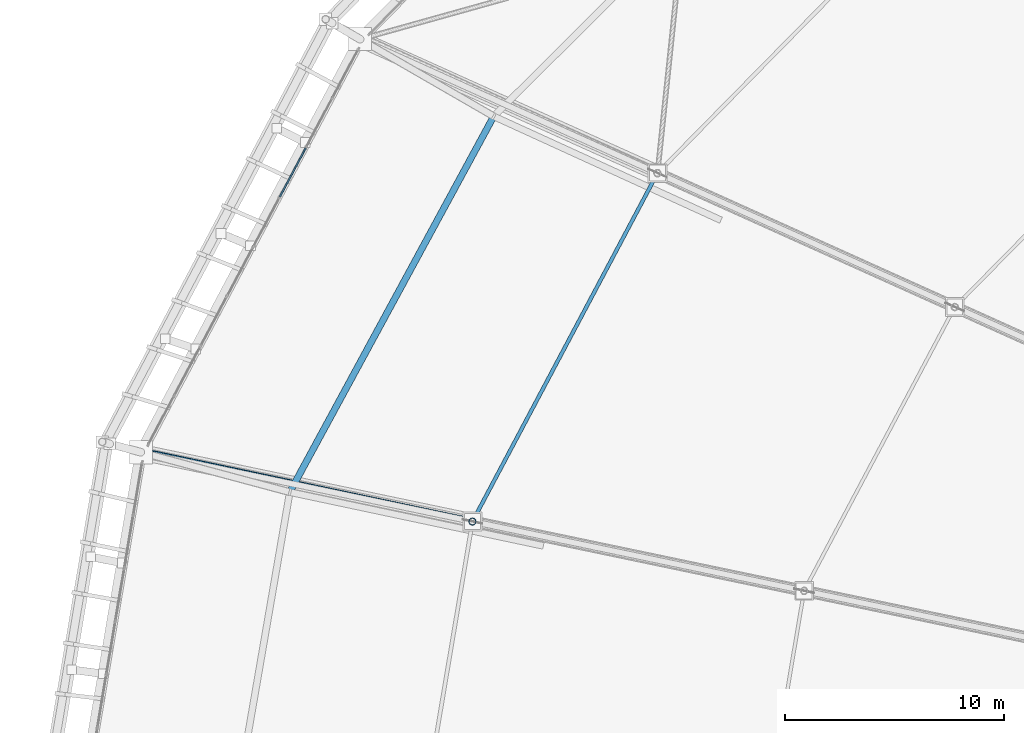
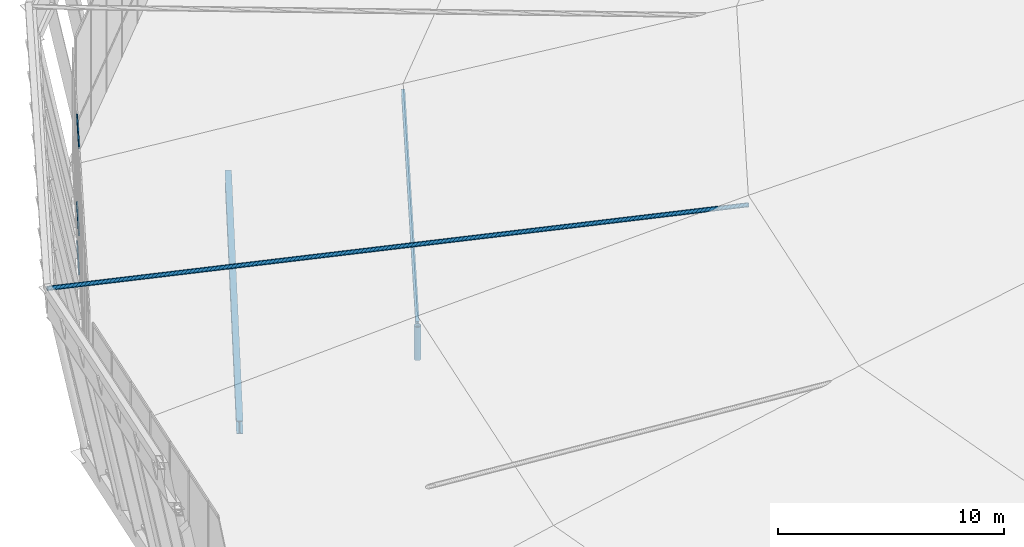
# One storey, part 27 of 115: 6 members, 1 beam, 1 element without a shape of its own.
"""IFC4 building model written with IfcOpenShell, lengths in metres."""

from ifc_helpers import new_model, si_unit, direction, frame, origin, origin_2d, place, context, subcontext, project, spatial, rectangle, hollow_circle, i_section, extrude, material, material_profile, profile_set, type_object, element, aggregate, save


model = new_model("IFC4")

# Units and contexts
model_context = context("Model", 3, precision=1e-05, world=origin(), true_north=direction((0.0, 1.0)))
body_context = subcontext(model_context, "Body", "Model", "MODEL_VIEW")
ifc_project = project(units=[si_unit("LENGTHUNIT", "METRE"), si_unit("AREAUNIT", "SQUARE_METRE"), si_unit("VOLUMEUNIT", "CUBIC_METRE"), si_unit("PLANEANGLEUNIT", "RADIAN"), si_unit("MASSUNIT", "GRAM", prefix="KILO")], contexts=[model_context])

# Site, building, storey
site_placement = place(None, origin())
site = spatial("IfcSite", under=ifc_project, at=site_placement, CompositionType="ELEMENT")
building_placement = place(site_placement, origin())
building = spatial("IfcBuilding", under=site, at=building_placement, Name="Zlatoyarsky Gate Stadium", CompositionType="ELEMENT")
storey_placement = place(building_placement, frame((0.0, 0.0, 31.800048828125)))
storey = spatial("IfcBuildingStorey", under=building, at=storey_placement, Name="RF", CompositionType="ELEMENT", Elevation=31.800048828125)

# Curtain wall, members
ifc_material_1 = material(Name="Thermally broken anodised aluminium curtain wall", Category="aluminium")
curtain_wall_type = type_object("IfcCurtainWallType", Name="UNITISED SKYBOX RING GLAZING L05", PredefinedType="USERDEFINED", material=ifc_material_1)
curtain_wall_placement = place(storey_placement, origin())
curtain_wall = element("IfcCurtainWall", 1, at=curtain_wall_placement, inside=storey, type_object=curtain_wall_type, Name="Curtain wall CW-RF-10", ObjectType="UNITISED GLAZING", PredefinedType="USERDEFINED")
ifc_material_2 = material(Name="Anodised aluminium 6063-T6", Category="aluminium")
ifc_material_profile_1 = material_profile(ifc_material_2, rectangle(XDim=0.06494140625, YDim=0.139892578125, at=origin_2d()), Name="ALU 65X140")
ifc_profile_set_1 = profile_set([ifc_material_profile_1], Name="Anodised aluminium 6063-T6")
member_type_1 = type_object("IfcMemberType", Name="ALUMINIUM TRANSOM 65X140", PredefinedType="USERDEFINED", material=ifc_profile_set_1)
member_1_placement = place(storey_placement, frame((21.89111328125, 114.042236328125, 0.032470703125), z_axis=(-0.469124208683, -0.883132196688, 0.0), x_axis=(0.883132196688, -0.469124208683, 0.0)))
member_1 = element("IfcMember", 2, at=member_1_placement, type_object=member_type_1, Name="CW-UG5 transom 3.1", ObjectType="TRANSOM", PredefinedType="USERDEFINED", context=body_context, shape_type="SweptSolid", body=[
    extrude(rectangle(XDim=0.06494140625, YDim=0.139892578125, at=origin_2d()), origin(), (0.0, 0.0, 1.0), 2.493896484375),
])
member_2_placement = place(storey_placement, frame((21.89111328125, 114.042236328125, 2.14990234375), z_axis=(-0.469124208683, -0.883132196688, 0.0), x_axis=(0.883132196688, -0.469124208683, 0.0)))
member_2 = element("IfcMember", 3, at=member_2_placement, type_object=member_type_1, Name="CW-UG5 transom 3.2", ObjectType="TRANSOM", PredefinedType="USERDEFINED", context=body_context, shape_type="SweptSolid", body=[
    extrude(rectangle(XDim=0.06494140625, YDim=0.139892578125, at=origin_2d()), origin(), (0.0, 0.0, 1.0), 2.493896484375),
])
member_3_placement = place(storey_placement, frame((21.89111328125, 114.042236328125, 6.867431640625), z_axis=(-0.469124208683, -0.883132196688, 0.0), x_axis=(0.883132196688, -0.469124208683, 0.0)))
member_3 = element("IfcMember", 4, at=member_3_placement, type_object=member_type_1, Name="CW-UG5 transom 3.3", ObjectType="TRANSOM", PredefinedType="USERDEFINED", context=body_context, shape_type="SweptSolid", body=[
    extrude(rectangle(XDim=0.06494140625, YDim=0.139892578125, at=origin_2d()), origin(), (0.0, 0.0, 1.0), 2.493896484375),
])
aggregate(curtain_wall, [member_1, member_2, member_3])

# Members
ifc_material_3 = material(Name="Steel S355", Category="steel")
ifc_material_profile_2 = material_profile(ifc_material_3, hollow_circle(Radius=0.109619140625, WallThickness=0.012451171875, at=origin_2d()), Name="CHS 219.1X12.5")
ifc_profile_set_2 = profile_set([ifc_material_profile_2], Name="Steel S355")
member_type_2 = type_object("IfcMemberType", Name="STEEL CANOPY WIND BRACE CHS 219.1X12.5", PredefinedType="BRACE", material=ifc_profile_set_2)
member_4_placement = place(storey_placement, frame((12.626220703125, 100.665283203125, 8.849853515625), z_axis=(0.975244889399, -0.20700257425, -0.077764644634), x_axis=(0.207631334908, 0.978207150232, 0.0)))
element("IfcMember", 5, at=member_4_placement, inside=storey, type_object=member_type_2, Name="Crown fascia tie brace 11", PredefinedType="BRACE", context=body_context, shape_type="SweptSolid", body=[
    extrude(hollow_circle(Radius=0.109619140625, WallThickness=0.012451171875, at=origin_2d()), origin(), (0.0, 0.0, 1.0), 32.788818359375),
])
ifc_material_profile_3 = material_profile(ifc_material_3, i_section(OverallWidth=0.169921875, OverallDepth=0.360107421875, WebThickness=0.008056640625, FlangeThickness=0.0126953125, FilletRadius=0.01806640625, at=origin_2d()), Name="IPE 360")
ifc_profile_set_3 = profile_set([ifc_material_profile_3], Name="Steel S355")
member_type_3 = type_object("IfcMemberType", Name="STEEL LONG SPAN PURLIN IPE 360", PredefinedType="PURLIN", material=ifc_profile_set_3)
member_5_placement = place(storey_placement, frame((37.921875, 112.912109375, 3.179931640625), z_axis=(-0.46898507061, -0.883206093471, 0.0), x_axis=(0.883206093471, -0.46898507061, 0.0)))
element("IfcMember", 6, at=member_5_placement, inside=storey, type_object=member_type_3, Name="Stadium roof purlin 10.1", PredefinedType="PURLIN", context=body_context, shape_type="SweptSolid", body=[
    extrude(i_section(OverallWidth=0.169921875, OverallDepth=0.360107421875, WebThickness=0.008056640625, FlangeThickness=0.0126953125, FilletRadius=0.01806640625, at=origin_2d()), origin(), (0.0, 0.0, 1.0), 17.974853515625),
])

# Beam
ifc_material_profile_4 = material_profile(ifc_material_3, i_section(OverallWidth=0.300048828125, OverallDepth=0.699951171875, WebThickness=0.01708984375, FlangeThickness=0.031982421875, FilletRadius=0.027099609375, at=origin_2d()), Name="HEB 700")
ifc_profile_set_4 = profile_set([ifc_material_profile_4], Name="Steel S355")
beam_type = type_object("IfcBeamType", Name="STEEL ROOF RING GIRDER HEB 700", PredefinedType="BEAM", material=ifc_profile_set_4)
beam_placement = place(storey_placement, frame((30.4404296875, 115.46484375, -0.300048828125), z_axis=(-0.476886635343, -0.878964809894, 0.0), x_axis=(0.878964809894, -0.476886635343, 0.0)))
element("IfcBeam", 7, at=beam_placement, inside=storey, type_object=beam_type, Name="RF roof tie girder BM-RF-CRC-10", PredefinedType="BEAM", context=body_context, shape_type="SweptSolid", body=[
    extrude(i_section(OverallWidth=0.300048828125, OverallDepth=0.699951171875, WebThickness=0.01708984375, FlangeThickness=0.031982421875, FilletRadius=0.027099609375, at=origin_2d()), origin(), (0.0, 0.0, 1.0), 19.40185546875),
])

# Member
ifc_material_profile_5 = material_profile(ifc_material_3, hollow_circle(Radius=0.161865234375, WallThickness=0.01611328125, at=origin_2d()), Name="CHS 323.9X16")
ifc_profile_set_5 = profile_set([ifc_material_profile_5], Name="Steel S355")
member_type_4 = type_object("IfcMemberType", Name="STEEL TRUSS WEB STRUT CHS 323.9X16", PredefinedType="STRUT", material=ifc_profile_set_5)
member_6_placement = place(storey_placement, frame((29.491943359375, 97.03662109375, 1.349853515625), z_axis=(0.0, 0.0, 1.0), x_axis=(1.0, 0.0, 0.0)))
element("IfcMember", 8, at=member_6_placement, inside=storey, type_object=member_type_4, Name="Radial truss R12 web strut 1", PredefinedType="STRUT", context=body_context, shape_type="SweptSolid", body=[
    extrude(hollow_circle(Radius=0.161865234375, WallThickness=0.01611328125, at=origin_2d()), origin(), (0.0, 0.0, 1.0), 1.800048828125),
])

save(model, "model.ifc")
